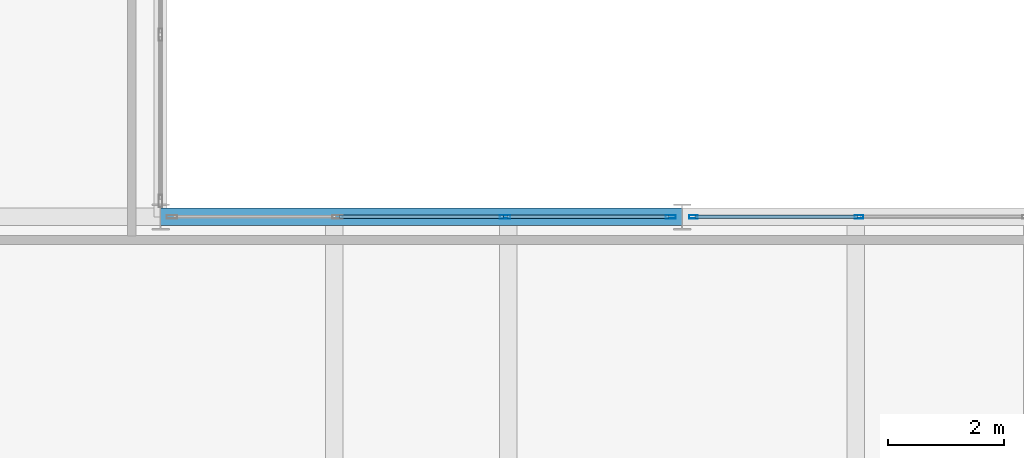
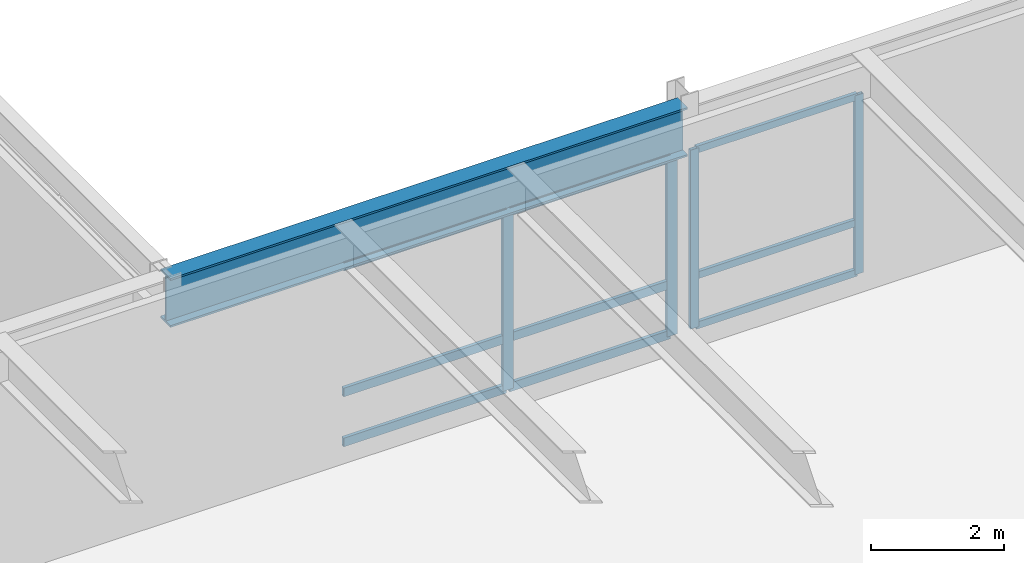
# One storey, part 48 of 115: 13 members, 1 beam, 2 elements without a shape of their own.
"""IFC4 building model written with IfcOpenShell, lengths in metres."""

import ifcopenshell
import ifcopenshell.guid

model = None  # the IFC model being written
_history = None  # IfcOwnerHistory: only IFC2X3 demands one
_inside = {}  # id of a spatial element -> (the spatial element, [elements in it])
_under = {}  # id of a project, library or spatial element -> (it, [spatial elements below it])
_declared = {}  # id of a project -> (the project, [libraries it declares])
_typed = {}  # id of a type object -> (the type object, [elements of that type])
_made_of = {}  # id of a material, layer set ... -> (it, [elements and type objects made of it])


def new_model(schema):
    """Start an empty IFC model of exactly this schema.

    Asked for "IFC4X3", IfcOpenShell would pick the latest addendum, in which some entities
    have other attributes; the version numbers below select the first issue.
    IFC2X3 requires an IfcOwnerHistory on every rooted entity: one is made here for all.
    """
    global model, _history
    if schema == "IFC4X3":
        model = ifcopenshell.file(schema_version=(4, 3, 0, 0))
    else:
        model = ifcopenshell.file(schema=schema)
    _inside.clear()
    _under.clear()
    _declared.clear()
    _typed.clear()
    _made_of.clear()
    _history = None
    if model.schema == "IFC2X3":
        org = make("IfcOrganization", Name="unknown")
        user = make(
            "IfcPersonAndOrganization",
            ThePerson=make("IfcPerson", FamilyName="unknown"),
            TheOrganization=org,
        )
        app = make(
            "IfcApplication",
            ApplicationDeveloper=org,
            Version="unknown",
            ApplicationFullName="unknown",
            ApplicationIdentifier="unknown",
        )
        _history = make(
            "IfcOwnerHistory",
            OwningUser=user,
            OwningApplication=app,
            ChangeAction="ADDED",
            CreationDate=0,
        )
    return model


def make(cls, **values):
    """One entity of the class cls with the attributes given. An attribute that is None is left unset."""
    return model.create_entity(
        cls, **{name: value for name, value in values.items() if value is not None}
    )


def rooted(cls, **values):
    """An entity with a GlobalId (a new one), such as an element, a storey or a relation."""
    return make(cls, GlobalId=ifcopenshell.guid.new(), OwnerHistory=_history, **values)


def si_unit(unit_type, name, prefix=None):
    """IfcSIUnit, for example si_unit("LENGTHUNIT", "METRE", prefix="MILLI")."""
    return make("IfcSIUnit", UnitType=unit_type, Prefix=prefix, Name=name)


def assignment(units):
    """IfcUnitAssignment: the units of a project."""
    return None if units is None else make("IfcUnitAssignment", Units=units)


def point(xyz):
    """IfcCartesianPoint."""
    return None if xyz is None else make("IfcCartesianPoint", Coordinates=xyz)


def direction(xyz):
    """IfcDirection."""
    return None if xyz is None else make("IfcDirection", DirectionRatios=xyz)


def frame(location, z_axis=None, x_axis=None):
    """IfcAxis2Placement3D, a coordinate frame: its origin and axes. An axis left out is left unset."""
    return make(
        "IfcAxis2Placement3D",
        Location=point(location),
        Axis=direction(z_axis),
        RefDirection=direction(x_axis),
    )


def frame_2d(location, x_axis=None):
    """IfcAxis2Placement2D, a coordinate frame in the plane: its origin and x axis."""
    return make(
        "IfcAxis2Placement2D", Location=point(location), RefDirection=direction(x_axis)
    )


def origin():
    """The frame at (0, 0, 0) with its axes left unset."""
    return frame((0.0, 0.0, 0.0))


def origin_2d():
    """The frame at (0, 0) in the plane with its x axis left unset."""
    return frame_2d((0.0, 0.0))


def place(relative_to, where):
    """IfcLocalPlacement: puts the frame where relative to a parent placement (None: the world)."""
    return make(
        "IfcLocalPlacement", PlacementRelTo=relative_to, RelativePlacement=where
    )


def context(
    kind, dimensions, precision=None, world=None, true_north=None, identifier=None
):
    """IfcGeometricRepresentationContext, for example the 3D "Model" context."""
    return make(
        "IfcGeometricRepresentationContext",
        ContextIdentifier=identifier,
        ContextType=kind,
        CoordinateSpaceDimension=dimensions,
        Precision=precision,
        WorldCoordinateSystem=world,
        TrueNorth=true_north,
    )


def subcontext(parent, identifier, kind, view, scale=None):
    """IfcGeometricRepresentationSubContext, for example "Body" below "Model"."""
    return make(
        "IfcGeometricRepresentationSubContext",
        ContextIdentifier=identifier,
        ContextType=kind,
        ParentContext=parent,
        TargetScale=scale,
        TargetView=view,
    )


def project(units=None, contexts=None):
    """IfcProject with its units and contexts."""
    return rooted(
        "IfcProject",
        Name="project",
        RepresentationContexts=contexts,
        UnitsInContext=assignment(units),
    )


def spatial(cls, under=None, at=None, **own):
    """A site, building, storey or space (cls), placed at a placement, below another one or the project."""
    s = rooted(cls, ObjectPlacement=at, **own)
    if under is not None:
        _under.setdefault(under.id(), (under, []))[1].append(s)
    return s


def profile(cls, at=None, kind="AREA", **sizes):
    """A parametric profile (cls). Its sizes go by their IFC names, for example OverallWidth=200.0."""
    return make(cls, ProfileType=kind, Position=at, **sizes)


def hollow_rectangle(**sizes):
    """IfcRectangleHollowProfileDef."""
    return profile("IfcRectangleHollowProfileDef", **sizes)


def i_section(**sizes):
    """IfcIShapeProfileDef."""
    return profile("IfcIShapeProfileDef", **sizes)


def extrude(swept, where, along, depth):
    """IfcExtrudedAreaSolid: the profile swept, set in the frame where, extruded along a direction by depth."""
    return make(
        "IfcExtrudedAreaSolid",
        SweptArea=swept,
        Position=where,
        ExtrudedDirection=direction(along),
        Depth=depth,
    )


def shape(context_of_items, identifier, shape_type, items):
    """IfcShapeRepresentation: the items that make up one representation, for example the "Body"."""
    return make(
        "IfcShapeRepresentation",
        ContextOfItems=context_of_items,
        RepresentationIdentifier=identifier,
        RepresentationType=shape_type,
        Items=items,
    )


def material(Name=None, Category=None):
    """IfcMaterial."""
    return make("IfcMaterial", Name=Name, Category=Category)


def layer(
    of_material, thickness, ventilated=None, Name=None, Category=None, Priority=None
):
    """IfcMaterialLayer: one layer of a wall or slab, of a material (None: an air gap)."""
    return make(
        "IfcMaterialLayer",
        Material=of_material,
        LayerThickness=thickness,
        IsVentilated=ventilated,
        Name=Name,
        Category=Category,
        Priority=Priority,
    )


def layer_set(layers, Name=None):
    """IfcMaterialLayerSet."""
    return make("IfcMaterialLayerSet", MaterialLayers=layers, LayerSetName=Name)


def material_profile(
    of_material, cross_section, Name=None, Category=None, Priority=None
):
    """IfcMaterialProfile: a cross section and its material."""
    return make(
        "IfcMaterialProfile",
        Name=Name,
        Material=of_material,
        Profile=cross_section,
        Priority=Priority,
        Category=Category,
    )


def profile_set(profiles, Name=None, composite=None):
    """IfcMaterialProfileSet."""
    return make(
        "IfcMaterialProfileSet",
        Name=Name,
        MaterialProfiles=profiles,
        CompositeProfile=composite,
    )


def made_of(thing, what):
    """Note that an element or type object is made of a material, layer set ...; save() writes the relation."""
    if what is not None:
        _made_of.setdefault(what.id(), (what, []))[1].append(thing)
    return thing


def type_object(cls, material=None, **own):
    """A type object (cls), such as IfcWallType, which elements share."""
    return made_of(rooted(cls, **own), material)


def element(
    cls,
    number,
    at=None,
    inside=None,
    cuts=None,
    type_object=None,
    material=None,
    context=None,
    identifier="Body",
    shape_type=None,
    held_by="IfcProductDefinitionShape",
    body=None,
    shapes=None,
    **own,
):
    """One element of the class cls, such as IfcWall. Its Tag is "e" and its number.

    at: its placement. inside: the storey or other place that contains it. cuts: it is an
    opening in that element (IfcRelVoidsElement). A single representation is given by context,
    identifier, shape_type and body (its items); several are given by shapes. held_by: the class
    of the entity that holds the representations. save() writes the other relations.
    """
    e = rooted(cls, Tag="e%d" % number, ObjectPlacement=at, **own)
    if body is not None:
        shapes = [shape(context, identifier, shape_type, body)]
    if shapes is not None:
        e.Representation = make(held_by, Representations=shapes)
    if inside is not None:
        _inside.setdefault(inside.id(), (inside, []))[1].append(e)
    if cuts is not None:
        rooted(
            "IfcRelVoidsElement", RelatingBuildingElement=cuts, RelatedOpeningElement=e
        )
    if type_object is not None:
        _typed.setdefault(type_object.id(), (type_object, []))[1].append(e)
    return made_of(e, material)


def aggregate(whole, parts):
    """IfcRelAggregates: a whole, such as a stair, and the parts it consists of."""
    return rooted("IfcRelAggregates", RelatingObject=whole, RelatedObjects=parts)


def save(model, path):
    """Write the relations noted so far, then the file.

    IfcRelAggregates (storeys below a building ...), IfcRelContainedInSpatialStructure (elements
    in a storey), IfcRelDefinesByType, IfcRelAssociatesMaterial and IfcRelDeclares: one each for
    every whole, place, type object, material and project.
    """
    for whole, parts in _under.values():
        aggregate(whole, parts)
    for where, things in _inside.values():
        rooted(
            "IfcRelContainedInSpatialStructure",
            RelatedElements=things,
            RelatingStructure=where,
        )
    for kind, things in _typed.values():
        rooted("IfcRelDefinesByType", RelatedObjects=things, RelatingType=kind)
    for what, things in _made_of.values():
        rooted("IfcRelAssociatesMaterial", RelatedObjects=things, RelatingMaterial=what)
    for by, libraries in _declared.values():
        rooted("IfcRelDeclares", RelatingContext=by, RelatedDefinitions=libraries)
    model.write(path)


model = new_model("IFC4")

# Units and contexts
model_context = context("Model", 3, precision=1e-05, world=origin(), true_north=direction((0.0, 1.0)))
body_context = subcontext(model_context, "Body", "Model", "MODEL_VIEW")
ifc_project = project(units=[si_unit("LENGTHUNIT", "METRE"), si_unit("AREAUNIT", "SQUARE_METRE"), si_unit("VOLUMEUNIT", "CUBIC_METRE"), si_unit("PLANEANGLEUNIT", "RADIAN"), si_unit("MASSUNIT", "GRAM", prefix="KILO")], contexts=[model_context])

# Site, building, storey
site_placement = place(None, origin())
site = spatial("IfcSite", under=ifc_project, at=site_placement, CompositionType="ELEMENT")
building_placement = place(site_placement, origin())
building = spatial("IfcBuilding", under=site, at=building_placement, Name="Montelvaro Courts of Justice", CompositionType="ELEMENT")
storey_placement = place(building_placement, frame((0.0, 0.0, 9.89990234375)))
storey = spatial("IfcBuildingStorey", under=building, at=storey_placement, Name="L02", CompositionType="ELEMENT", Elevation=9.89990234375)

# Beam
ifc_material_1 = material(Name="Steel S355", Category="steel")
ifc_material_profile_1 = material_profile(ifc_material_1, i_section(OverallWidth=0.300048828125, OverallDepth=0.89990234375, WebThickness=0.0185546875, FlangeThickness=0.034912109375, at=origin_2d()), Name="HEB 900")
ifc_profile_set_1 = profile_set([ifc_material_profile_1], Name="Steel S355")
beam_type = type_object("IfcBeamType", Name="Beam_HEB900", PredefinedType="USERDEFINED", material=ifc_profile_set_1)
beam_placement = place(storey_placement, frame((126.0, 42.0, 3.75), z_axis=(1.0, 0.0, 0.0), x_axis=(0.0, 1.0, 0.0)))
element("IfcBeam", 1, at=beam_placement, inside=storey, type_object=beam_type, Name="Beam B-30 L02", ObjectType="GIRDER", PredefinedType="USERDEFINED", context=body_context, shape_type="SweptSolid", body=[
    extrude(i_section(OverallWidth=0.300048828125, OverallDepth=0.89990234375, WebThickness=0.0185546875, FlangeThickness=0.034912109375, at=origin_2d()), origin(), (0.0, 0.0, 1.0), 9.0),
])

# Curtain wall, members
ifc_material_2 = material(Name="Anodised aluminium EN AW-6063", Category="aluminium")
ifc_layer = layer(ifc_material_2, 0.159912109375)
ifc_layer_set = layer_set([ifc_layer], Name="Anodised aluminium EN AW-6063")
curtain_wall_type = type_object("IfcCurtainWallType", Name="CurtainWall_14_867x418", PredefinedType="USERDEFINED", material=ifc_layer_set)
curtain_wall_1_placement = place(storey_placement, origin())
curtain_wall_1 = element("IfcCurtainWall", 2, at=curtain_wall_1_placement, inside=storey, type_object=curtain_wall_type, Name="Curtain Wall CW-14 (L02)", ObjectType="CURTAIN WALL", PredefinedType="USERDEFINED")
ifc_material_profile_2 = material_profile(ifc_material_2, hollow_rectangle(XDim=0.06005859375, YDim=0.14990234375, WallThickness=0.00390625, at=origin_2d()), Name="ALU-M 60x150")
ifc_profile_set_2 = profile_set([ifc_material_profile_2], Name="Anodised aluminium EN AW-6063")
member_type_1 = type_object("IfcMemberType", Name="CurtainWall_Mullion_60x150", PredefinedType="MULLION", material=ifc_profile_set_2)
member_1_placement = place(storey_placement, frame((138.054931640625, 42.0, 0.0), z_axis=(0.0, 0.0, 1.0), x_axis=(0.0, -1.0, 0.0)))
member_1 = element("IfcMember", 3, at=member_1_placement, type_object=member_type_1, Name="CW-14 mullion 3", PredefinedType="MULLION", context=body_context, shape_type="SweptSolid", body=[
    extrude(hollow_rectangle(XDim=0.06005859375, YDim=0.14990234375, WallThickness=0.00390625, at=origin_2d()), origin(), (0.0, 0.0, 1.0), 3.295166015625),
])
member_2_placement = place(storey_placement, frame((135.195068359375, 42.0, 0.0), z_axis=(0.0, 0.0, 1.0), x_axis=(0.0, -1.0, 0.0)))
member_2 = element("IfcMember", 4, at=member_2_placement, type_object=member_type_1, Name="CW-14 mullion 4", PredefinedType="MULLION", context=body_context, shape_type="SweptSolid", body=[
    extrude(hollow_rectangle(XDim=0.06005859375, YDim=0.14990234375, WallThickness=0.00390625, at=origin_2d()), origin(), (0.0, 0.0, 1.0), 3.295166015625),
])

curtain_wall_2_placement = place(storey_placement, origin())
curtain_wall_2 = element("IfcCurtainWall", 5, at=curtain_wall_2_placement, inside=storey, type_object=curtain_wall_type, Name="Curtain Wall CW-14 (L02)", ObjectType="CURTAIN WALL", PredefinedType="USERDEFINED")
ifc_material_profile_3 = material_profile(ifc_material_2, hollow_rectangle(XDim=0.06005859375, YDim=0.179931640625, WallThickness=0.00439453125, at=origin_2d()), Name="ALU-M 60x180")
ifc_profile_set_3 = profile_set([ifc_material_profile_3], Name="Anodised aluminium EN AW-6063")
member_type_2 = type_object("IfcMemberType", Name="CurtainWall_Mullion_60x180", PredefinedType="MULLION", material=ifc_profile_set_3)
member_3_placement = place(storey_placement, frame((134.804931640625, 42.0, 0.0), z_axis=(0.0, 0.0, 1.0), x_axis=(0.0, -1.0, 0.0)))
member_3 = element("IfcMember", 6, at=member_3_placement, type_object=member_type_2, Name="CW-14 mullion 1", PredefinedType="MULLION", context=body_context, shape_type="SweptSolid", body=[
    extrude(hollow_rectangle(XDim=0.06005859375, YDim=0.179931640625, WallThickness=0.00439453125, at=origin_2d()), origin(), (0.0, 0.0, 1.0), 3.295166015625),
])
member_4_placement = place(storey_placement, frame((131.945068359375, 42.0, 0.0), z_axis=(0.0, 0.0, 1.0), x_axis=(0.0, -1.0, 0.0)))
member_4 = element("IfcMember", 7, at=member_4_placement, type_object=member_type_2, Name="CW-14 mullion 2", PredefinedType="MULLION", context=body_context, shape_type="SweptSolid", body=[
    extrude(hollow_rectangle(XDim=0.06005859375, YDim=0.179931640625, WallThickness=0.00439453125, at=origin_2d()), origin(), (0.0, 0.0, 1.0), 3.295166015625),
])

# Member
ifc_material_profile_4 = material_profile(ifc_material_2, hollow_rectangle(XDim=0.06005859375, YDim=0.1298828125, WallThickness=0.00390625, at=origin_2d()), Name="ALU-T 60x130")
ifc_profile_set_4 = profile_set([ifc_material_profile_4], Name="Anodised aluminium EN AW-6063")
member_type_3 = type_object("IfcMemberType", Name="CurtainWall_Transom_60x130", PredefinedType="USERDEFINED", material=ifc_profile_set_4)
member_5_placement = place(storey_placement, frame((138.02490234375, 42.0, 0.030029296875), z_axis=(-1.0, 0.0, 0.0), x_axis=(0.0, -1.0, 0.0)))
member_5 = element("IfcMember", 8, at=member_5_placement, type_object=member_type_3, Name="CW-14 transom 3.1", ObjectType="TRANSOM", PredefinedType="USERDEFINED", context=body_context, shape_type="SweptSolid", body=[
    extrude(hollow_rectangle(XDim=0.06005859375, YDim=0.1298828125, WallThickness=0.00390625, at=origin_2d()), origin(), (0.0, 0.0, 1.0), 2.7998046875),
])

member_6_placement = place(storey_placement, frame((138.02490234375, 42.0, 0.9501953125), z_axis=(-1.0, 0.0, 0.0), x_axis=(0.0, -1.0, 0.0)))
member_6 = element("IfcMember", 9, at=member_6_placement, type_object=member_type_3, Name="CW-14 transom 3.2", ObjectType="TRANSOM", PredefinedType="USERDEFINED", context=body_context, shape_type="SweptSolid", body=[
    extrude(hollow_rectangle(XDim=0.06005859375, YDim=0.1298828125, WallThickness=0.00390625, at=origin_2d()), origin(), (0.0, 0.0, 1.0), 2.7998046875),
])

member_7_placement = place(storey_placement, frame((138.02490234375, 42.0, 3.26513671875), z_axis=(-1.0, 0.0, 0.0), x_axis=(0.0, -1.0, 0.0)))
member_7 = element("IfcMember", 10, at=member_7_placement, type_object=member_type_3, Name="CW-14 transom 3.3", ObjectType="TRANSOM", PredefinedType="USERDEFINED", context=body_context, shape_type="SweptSolid", body=[
    extrude(hollow_rectangle(XDim=0.06005859375, YDim=0.1298828125, WallThickness=0.00390625, at=origin_2d()), origin(), (0.0, 0.0, 1.0), 2.7998046875),
])

aggregate(curtain_wall_1, [member_1, member_2, member_5, member_6, member_7])

ifc_material_profile_5 = material_profile(ifc_material_2, hollow_rectangle(XDim=0.06005859375, YDim=0.159912109375, WallThickness=0.00439453125, at=origin_2d()), Name="ALU-T 60x160")
ifc_profile_set_5 = profile_set([ifc_material_profile_5], Name="Anodised aluminium EN AW-6063")
member_type_4 = type_object("IfcMemberType", Name="CurtainWall_Transom_60x160", PredefinedType="USERDEFINED", material=ifc_profile_set_5)
member_8_placement = place(storey_placement, frame((134.77490234375, 42.0, 0.030029296875), z_axis=(-1.0, 0.0, 0.0), x_axis=(0.0, -1.0, 0.0)))
member_8 = element("IfcMember", 11, at=member_8_placement, type_object=member_type_4, Name="CW-14 transom 1.1", ObjectType="TRANSOM", PredefinedType="USERDEFINED", context=body_context, shape_type="SweptSolid", body=[
    extrude(hollow_rectangle(XDim=0.06005859375, YDim=0.159912109375, WallThickness=0.00439453125, at=origin_2d()), origin(), (0.0, 0.0, 1.0), 2.7998046875),
])

member_9_placement = place(storey_placement, frame((134.77490234375, 42.0, 0.9501953125), z_axis=(-1.0, 0.0, 0.0), x_axis=(0.0, -1.0, 0.0)))
member_9 = element("IfcMember", 12, at=member_9_placement, type_object=member_type_4, Name="CW-14 transom 1.2", ObjectType="TRANSOM", PredefinedType="USERDEFINED", context=body_context, shape_type="SweptSolid", body=[
    extrude(hollow_rectangle(XDim=0.06005859375, YDim=0.159912109375, WallThickness=0.00439453125, at=origin_2d()), origin(), (0.0, 0.0, 1.0), 2.7998046875),
])

member_10_placement = place(storey_placement, frame((134.77490234375, 42.0, 3.26513671875), z_axis=(-1.0, 0.0, 0.0), x_axis=(0.0, -1.0, 0.0)))
member_10 = element("IfcMember", 13, at=member_10_placement, type_object=member_type_4, Name="CW-14 transom 1.3", ObjectType="TRANSOM", PredefinedType="USERDEFINED", context=body_context, shape_type="SweptSolid", body=[
    extrude(hollow_rectangle(XDim=0.06005859375, YDim=0.159912109375, WallThickness=0.00439453125, at=origin_2d()), origin(), (0.0, 0.0, 1.0), 2.7998046875),
])

member_11_placement = place(storey_placement, frame((131.9150390625, 42.0, 0.030029296875), z_axis=(-1.0, 0.0, 0.0), x_axis=(0.0, -1.0, 0.0)))
member_11 = element("IfcMember", 14, at=member_11_placement, type_object=member_type_4, Name="CW-14 transom 2.1", ObjectType="TRANSOM", PredefinedType="USERDEFINED", context=body_context, shape_type="SweptSolid", body=[
    extrude(hollow_rectangle(XDim=0.06005859375, YDim=0.159912109375, WallThickness=0.00439453125, at=origin_2d()), origin(), (0.0, 0.0, 1.0), 2.830078125),
])

member_12_placement = place(storey_placement, frame((131.9150390625, 42.0, 0.9501953125), z_axis=(-1.0, 0.0, 0.0), x_axis=(0.0, -1.0, 0.0)))
member_12 = element("IfcMember", 15, at=member_12_placement, type_object=member_type_4, Name="CW-14 transom 2.2", ObjectType="TRANSOM", PredefinedType="USERDEFINED", context=body_context, shape_type="SweptSolid", body=[
    extrude(hollow_rectangle(XDim=0.06005859375, YDim=0.159912109375, WallThickness=0.00439453125, at=origin_2d()), origin(), (0.0, 0.0, 1.0), 2.830078125),
])

member_13_placement = place(storey_placement, frame((131.9150390625, 42.0, 3.26513671875), z_axis=(-1.0, 0.0, 0.0), x_axis=(0.0, -1.0, 0.0)))
member_13 = element("IfcMember", 16, at=member_13_placement, type_object=member_type_4, Name="CW-14 transom 2.3", ObjectType="TRANSOM", PredefinedType="USERDEFINED", context=body_context, shape_type="SweptSolid", body=[
    extrude(hollow_rectangle(XDim=0.06005859375, YDim=0.159912109375, WallThickness=0.00439453125, at=origin_2d()), origin(), (0.0, 0.0, 1.0), 2.830078125),
])

aggregate(curtain_wall_2, [member_3, member_4, member_8, member_9, member_10, member_11, member_12, member_13])

save(model, "model.ifc")
